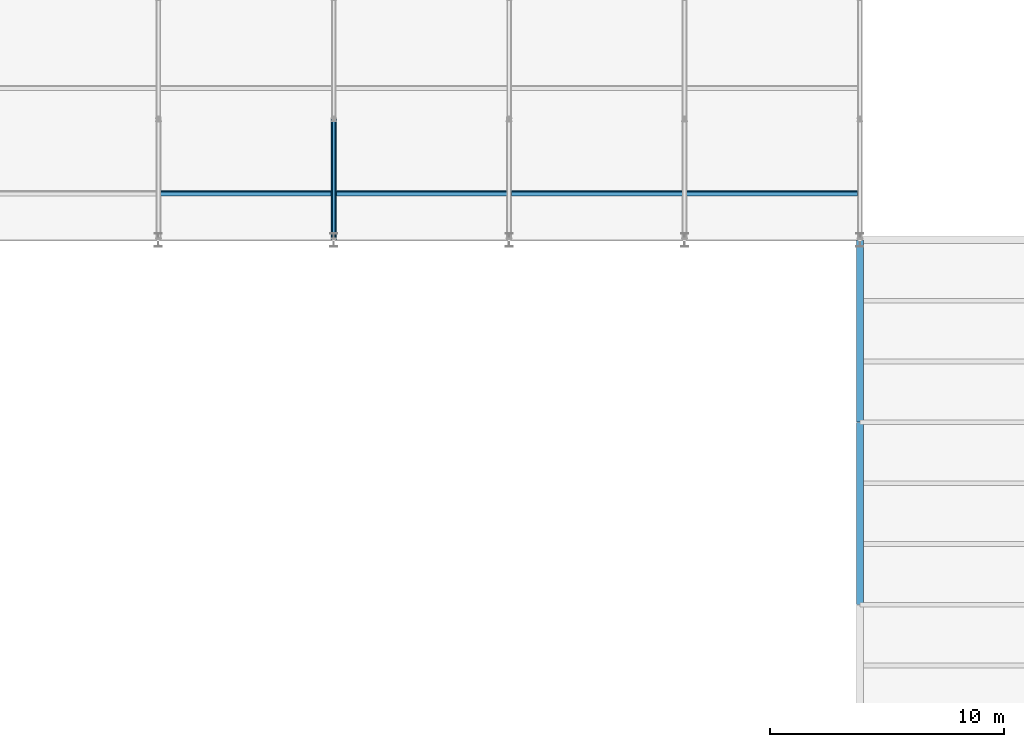
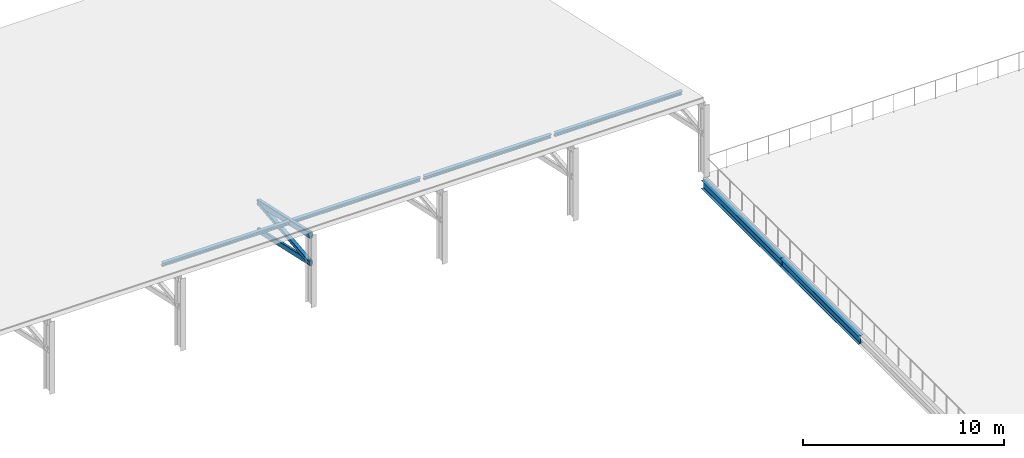
# One storey, part 31 of 77: 7 members, 2 beams.
"""IFC4 building model written with IfcOpenShell, lengths in metres."""

from ifc_helpers import new_model, si_unit, direction, frame, origin, origin_2d, place, context, subcontext, project, spatial, hollow_rectangle, i_section, extrude, material, material_profile, profile_set, type_object, element, save


model = new_model("IFC4")

# Units and contexts
model_context = context("Model", 3, precision=1e-05, world=origin(), true_north=direction((0.0, 1.0)))
body_context = subcontext(model_context, "Body", "Model", "MODEL_VIEW")
ifc_project = project(units=[si_unit("LENGTHUNIT", "METRE"), si_unit("AREAUNIT", "SQUARE_METRE"), si_unit("VOLUMEUNIT", "CUBIC_METRE"), si_unit("PLANEANGLEUNIT", "RADIAN"), si_unit("MASSUNIT", "GRAM", prefix="KILO")], contexts=[model_context])

# Site, building, storey
site_placement = place(None, origin())
site = spatial("IfcSite", under=ifc_project, at=site_placement, CompositionType="ELEMENT")
building_placement = place(site_placement, origin())
building = spatial("IfcBuilding", under=site, at=building_placement, Name="Yukiwa Park Conservatory and Herbarium", CompositionType="ELEMENT")
storey_placement = place(building_placement, frame((0.0, 0.0, 13.199951171875)))
storey = spatial("IfcBuildingStorey", under=building, at=storey_placement, Name="L03", CompositionType="ELEMENT", Elevation=13.199951171875)

# Beams
ifc_material_1 = material(Name="Steel Q355D", Category="steel")
ifc_material_profile_1 = material_profile(ifc_material_1, i_section(OverallWidth=0.300048828125, OverallDepth=0.493896484375, WebThickness=0.010986328125, FlangeThickness=0.014892578125, FilletRadius=0.02392578125, at=origin_2d()), Name="HM 494x300x11x15")
ifc_profile_set_1 = profile_set([ifc_material_profile_1], Name="Steel Q355D")
beam_type = type_object("IfcBeamType", Name="BM-SPN-HN450", PredefinedType="SPANDREL", material=ifc_profile_set_1)
beam_1_placement = place(storey_placement, frame((60.0, 62.406005859375, -0.56689453125), z_axis=(0.0, 1.0, 0.0), x_axis=(-1.0, 0.0, 0.0)))
element("IfcBeam", 1, at=beam_1_placement, inside=storey, type_object=beam_type, Name="L03 spandrel girder Y-62", PredefinedType="SPANDREL", context=body_context, shape_type="SweptSolid", body=[
    extrude(i_section(OverallWidth=0.300048828125, OverallDepth=0.493896484375, WebThickness=0.010986328125, FlangeThickness=0.014892578125, FilletRadius=0.02392578125, at=origin_2d()), origin(), (0.0, 0.0, 1.0), 7.7880859375),
])
beam_2_placement = place(storey_placement, frame((60.0, 70.2060546875, -0.56689453125), z_axis=(0.0, 1.0, 0.0), x_axis=(-1.0, 0.0, 0.0)))
element("IfcBeam", 2, at=beam_2_placement, inside=storey, type_object=beam_type, Name="L03 spandrel girder Y-63", PredefinedType="SPANDREL", context=body_context, shape_type="SweptSolid", body=[
    extrude(i_section(OverallWidth=0.300048828125, OverallDepth=0.493896484375, WebThickness=0.010986328125, FlangeThickness=0.014892578125, FilletRadius=0.02392578125, at=origin_2d()), origin(), (0.0, 0.0, 1.0), 7.787841796875),
])

# Members
ifc_material_2 = material(Name="Steel Q355D", Category="steel")
ifc_material_profile_2 = material_profile(ifc_material_2, hollow_rectangle(XDim=0.14990234375, YDim=0.300048828125, WallThickness=0.010009765625, InnerFilletRadius=0.010009765625, OuterFilletRadius=0.02001953125, at=origin_2d()), Name="RHS 300x150x10")
ifc_profile_set_2 = profile_set([ifc_material_profile_2], Name="Steel Q355D")
member_type_1 = type_object("IfcMemberType", Name="MB-AU-CHORD300", PredefinedType="CHORD", material=ifc_profile_set_2)
member_1_placement = place(storey_placement, frame((37.5, 78.006103515625, 2.491943359375), z_axis=(0.0, 0.976241016926, -0.216687509727), x_axis=(-1.0, 0.0, 0.0)))
element("IfcMember", 3, at=member_1_placement, inside=storey, type_object=member_type_1, Name="Auditorium roof truss 4 bottom chord 1", PredefinedType="CHORD", context=body_context, shape_type="SweptSolid", body=[
    extrude(hollow_rectangle(XDim=0.14990234375, YDim=0.300048828125, WallThickness=0.010009765625, InnerFilletRadius=0.010009765625, OuterFilletRadius=0.02001953125, at=origin_2d()), origin(), (0.0, 0.0, 1.0), 5.3203125),
])
ifc_material_3 = material(Name="Steel Q355D", Category="steel")
ifc_material_profile_3 = material_profile(ifc_material_3, hollow_rectangle(XDim=0.199951171875, YDim=0.35009765625, WallThickness=0.011962890625, InnerFilletRadius=0.011962890625, OuterFilletRadius=0.02392578125, at=origin_2d()), Name="RHS 350x200x12")
ifc_profile_set_3 = profile_set([ifc_material_profile_3], Name="Steel Q355D")
member_type_2 = type_object("IfcMemberType", Name="MB-AU-CHORD350", PredefinedType="CHORD", material=ifc_profile_set_3)
member_2_placement = place(storey_placement, frame((37.5, 78.006103515625, 4.19189453125), z_axis=(0.0, 0.976241016926, -0.216687509727), x_axis=(-1.0, 0.0, 0.0)))
element("IfcMember", 4, at=member_2_placement, inside=storey, type_object=member_type_2, Name="Auditorium roof truss 4 top chord 1", PredefinedType="CHORD", context=body_context, shape_type="SweptSolid", body=[
    extrude(hollow_rectangle(XDim=0.199951171875, YDim=0.35009765625, WallThickness=0.011962890625, InnerFilletRadius=0.011962890625, OuterFilletRadius=0.02392578125, at=origin_2d()), origin(), (0.0, 0.0, 1.0), 5.3203125),
])
ifc_material_4 = material(Name="Steel Q355D", Category="steel")
ifc_material_profile_4 = material_profile(ifc_material_4, hollow_rectangle(XDim=0.219970703125, YDim=0.219970703125, WallThickness=0.010009765625, InnerFilletRadius=0.010009765625, OuterFilletRadius=0.02001953125, at=origin_2d()), Name="SHS 220x220x10")
ifc_profile_set_4 = profile_set([ifc_material_profile_4], Name="Steel Q355D")
member_type_3 = type_object("IfcMemberType", Name="MB-AU-DIAG220", PredefinedType="BRACE", material=ifc_profile_set_4)
member_3_placement = place(storey_placement, frame((37.5, 78.011962890625, 2.491943359375), z_axis=(0.0, 0.994485175972, 0.104877236675), x_axis=(-1.0, 0.0, 0.0)))
element("IfcMember", 5, at=member_3_placement, inside=storey, type_object=member_type_3, Name="Auditorium roof truss 4 web diagonal 1", PredefinedType="BRACE", context=body_context, shape_type="SweptSolid", body=[
    extrude(hollow_rectangle(XDim=0.219970703125, YDim=0.219970703125, WallThickness=0.010009765625, InnerFilletRadius=0.010009765625, OuterFilletRadius=0.02001953125, at=origin_2d()), origin(), (0.0, 0.0, 1.0), 5.216796875),
])
ifc_material_5 = material(Name="Steel Q355D", Category="steel")
ifc_material_profile_5 = material_profile(ifc_material_5, i_section(OverallWidth=0.175048828125, OverallDepth=0.243896484375, WebThickness=0.007080078125, FlangeThickness=0.010986328125, FilletRadius=0.01611328125, at=origin_2d()), Name="HM 244x175x7x11")
ifc_profile_set_5 = profile_set([ifc_material_profile_5], Name="Steel Q355D")
member_type_4 = type_object("IfcMemberType", Name="MB-RF-PURL244", PredefinedType="PURLIN", material=ifc_profile_set_5)
for number, where, z_axis, x_axis, name in (
    (6, (30.094970703125, 80.0, 3.803466796875), (1.0, 0.0, 0.0), (0.0, 0.97629600712, 0.216439613938), "Auditorium roof purlin 3.80"),
    (7, (37.594970703125, 80.0, 3.803466796875), (1.0, 0.0, 0.0), (0.0, 0.97629600712, 0.216439613938), "Auditorium roof purlin 4.80"),
    (8, (45.094970703125, 80.0, 3.803466796875), (1.0, 0.0, 0.0), (0.0, 0.97629600712, 0.216439613938), "Auditorium roof purlin 5.80"),
    (9, (52.594970703125, 80.0, 3.803466796875), (1.0, 0.0, 0.0), (0.0, 0.97629600712, 0.216439613938), "Auditorium roof purlin 6.80"),
):
    element("IfcMember", number, at=place(storey_placement, frame(where, z_axis=z_axis, x_axis=x_axis)), inside=storey, type_object=member_type_4, Name=name, PredefinedType="PURLIN", context=body_context, shape_type="SweptSolid", body=[
        extrude(i_section(OverallWidth=0.175048828125, OverallDepth=0.243896484375, WebThickness=0.007080078125, FlangeThickness=0.010986328125, FilletRadius=0.01611328125, at=origin_2d()), origin(), (0.0, 0.0, 1.0), 7.31005859375),
    ])

save(model, "model.ifc")
